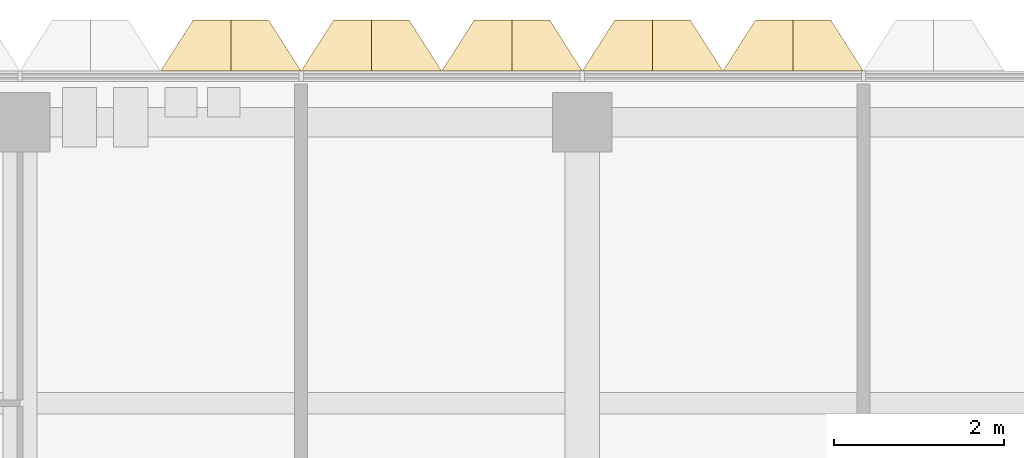
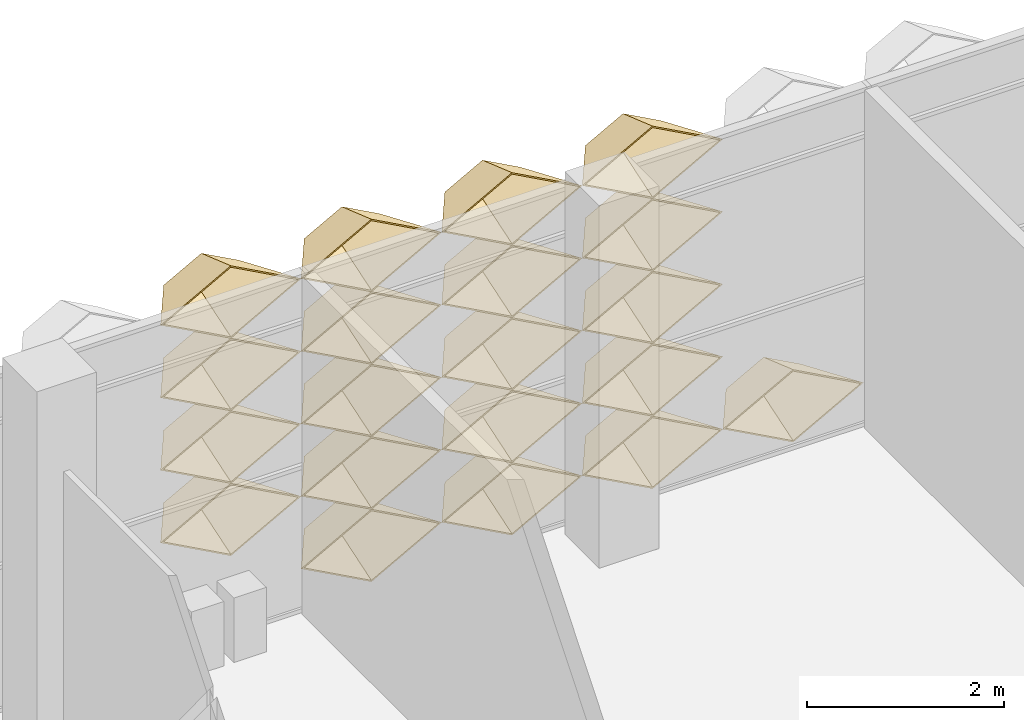
# One storey, part 25 of 28: 20 coverings.
"""IFC4 building model written with IfcOpenShell, lengths in metres."""

from ifc_helpers import new_model, entity, si_unit, direction, frame, origin, place, context, subcontext, project, spatial, material, layer, layer_set, type_object, element, save


model = new_model("IFC4")

# Units and contexts
model_context = context("Model", 3, precision=1e-05, world=origin(), true_north=direction((0.0, 1.0)))
body_context = subcontext(model_context, "Body", "Model", "MODEL_VIEW")
ifc_project = project(units=[si_unit("LENGTHUNIT", "METRE"), si_unit("AREAUNIT", "SQUARE_METRE"), si_unit("VOLUMEUNIT", "CUBIC_METRE"), si_unit("PLANEANGLEUNIT", "RADIAN"), si_unit("MASSUNIT", "GRAM", prefix="KILO")], contexts=[model_context])

# Site, building, storey
site_placement = place(None, origin())
site = spatial("IfcSite", under=ifc_project, at=site_placement, CompositionType="ELEMENT")
building_placement = place(site_placement, origin())
building = spatial("IfcBuilding", under=site, at=building_placement, Name="Lantern Court Research Institute", CompositionType="ELEMENT")
storey_placement = place(building_placement, frame((0.0, 0.0, 36.89990234375)))
storey = spatial("IfcBuildingStorey", under=building, at=storey_placement, Name="L08", CompositionType="ELEMENT", Elevation=36.89990234375)

# Coverings
ifc_material = material(Name="Anodised aluminium", Category="aluminium")
ifc_layer = layer(ifc_material, 0.01611328125)
ifc_layer_set = layer_set([ifc_layer], Name="Anodised aluminium")
covering_type = type_object("IfcCoveringType", Name="Fin cassette 1650 x 900 x 600 aluminium", PredefinedType="CLADDING", material=ifc_layer_set)
covering_1_placement = place(storey_placement, frame((63.52490234375, 23.699951171875, 0.4501953125), z_axis=(0.0, 1.0, 0.0), x_axis=(-1.0, 0.0, 0.0)))
cartesian_point_1 = entity("IfcCartesianPoint", [0.824951171875, 0.0])
cartesian_point_2 = entity("IfcCartesianPoint", [0.79150390625, 0.0])
cartesian_point_3 = entity("IfcCartesianPoint", [0.44189453125, 0.0])
cartesian_point_4 = entity("IfcCartesianPoint", [0.43359375, 0.0])
element("IfcCovering", 1, at=covering_1_placement, inside=storey, type_object=covering_type, Name="Fin cassette V5N-L08 1.39", PredefinedType="CLADDING", context=body_context, shape_type="SweptSolid", body=[
    entity("IfcExtrudedAreaSolidTapered", entity("IfcArbitraryProfileDefWithVoids", "AREA", None, entity("IfcPolyline", [cartesian_point_1, entity("IfcCartesianPoint", [0.0, 0.449951171875]), entity("IfcCartesianPoint", [-0.824951171875, 0.0]), entity("IfcCartesianPoint", [0.0, -0.449951171875]), cartesian_point_1]), [entity("IfcPolyline", [cartesian_point_2, entity("IfcCartesianPoint", [0.0, 0.431884765625]), entity("IfcCartesianPoint", [-0.79150390625, 0.0]), entity("IfcCartesianPoint", [0.0, -0.431884765625]), cartesian_point_2])]), entity("IfcAxis2Placement3D", entity("IfcCartesianPoint", [0.0, 0.0, 0.0])), entity("IfcDirection", [0.0, 0.0, 1.0]), 0.60009765625, entity("IfcArbitraryProfileDefWithVoids", "AREA", None, entity("IfcPolyline", [cartesian_point_3, entity("IfcCartesianPoint", [0.0, 0.240966796875]), entity("IfcCartesianPoint", [-0.44189453125, 0.0]), entity("IfcCartesianPoint", [0.0, -0.240966796875]), cartesian_point_3]), [entity("IfcPolyline", [cartesian_point_4, entity("IfcCartesianPoint", [0.0, 0.236572265625]), entity("IfcCartesianPoint", [-0.43359375, 0.0]), entity("IfcCartesianPoint", [0.0, -0.236572265625]), cartesian_point_4])])),
])
covering_2_placement = place(storey_placement, frame((65.175048828125, 23.699951171875, 0.4501953125), z_axis=(0.0, 1.0, 0.0), x_axis=(-1.0, 0.0, 0.0)))
cartesian_point_5 = entity("IfcCartesianPoint", [0.824951171875, 0.0])
cartesian_point_6 = entity("IfcCartesianPoint", [0.79150390625, 0.0])
cartesian_point_7 = entity("IfcCartesianPoint", [0.44189453125, 0.0])
cartesian_point_8 = entity("IfcCartesianPoint", [0.43359375, 0.0])
element("IfcCovering", 2, at=covering_2_placement, inside=storey, type_object=covering_type, Name="Fin cassette V5N-L08 1.40", PredefinedType="CLADDING", context=body_context, shape_type="SweptSolid", body=[
    entity("IfcExtrudedAreaSolidTapered", entity("IfcArbitraryProfileDefWithVoids", "AREA", None, entity("IfcPolyline", [cartesian_point_5, entity("IfcCartesianPoint", [0.0, 0.449951171875]), entity("IfcCartesianPoint", [-0.824951171875, 0.0]), entity("IfcCartesianPoint", [0.0, -0.449951171875]), cartesian_point_5]), [entity("IfcPolyline", [cartesian_point_6, entity("IfcCartesianPoint", [0.0, 0.431884765625]), entity("IfcCartesianPoint", [-0.79150390625, 0.0]), entity("IfcCartesianPoint", [0.0, -0.431884765625]), cartesian_point_6])]), entity("IfcAxis2Placement3D", entity("IfcCartesianPoint", [0.0, 0.0, 0.0])), entity("IfcDirection", [0.0, 0.0, 1.0]), 0.60009765625, entity("IfcArbitraryProfileDefWithVoids", "AREA", None, entity("IfcPolyline", [cartesian_point_7, entity("IfcCartesianPoint", [0.0, 0.240966796875]), entity("IfcCartesianPoint", [-0.44189453125, 0.0]), entity("IfcCartesianPoint", [0.0, -0.240966796875]), cartesian_point_7]), [entity("IfcPolyline", [cartesian_point_8, entity("IfcCartesianPoint", [0.0, 0.236572265625]), entity("IfcCartesianPoint", [-0.43359375, 0.0]), entity("IfcCartesianPoint", [0.0, -0.236572265625]), cartesian_point_8])])),
])
covering_3_placement = place(storey_placement, frame((66.824951171875, 23.699951171875, 0.4501953125), z_axis=(0.0, 1.0, 0.0), x_axis=(-1.0, 0.0, 0.0)))
cartesian_point_9 = entity("IfcCartesianPoint", [0.824951171875, 0.0])
cartesian_point_10 = entity("IfcCartesianPoint", [0.79150390625, 0.0])
cartesian_point_11 = entity("IfcCartesianPoint", [0.44189453125, 0.0])
cartesian_point_12 = entity("IfcCartesianPoint", [0.43359375, 0.0])
element("IfcCovering", 3, at=covering_3_placement, inside=storey, type_object=covering_type, Name="Fin cassette V5N-L08 1.41", PredefinedType="CLADDING", context=body_context, shape_type="SweptSolid", body=[
    entity("IfcExtrudedAreaSolidTapered", entity("IfcArbitraryProfileDefWithVoids", "AREA", None, entity("IfcPolyline", [cartesian_point_9, entity("IfcCartesianPoint", [0.0, 0.449951171875]), entity("IfcCartesianPoint", [-0.824951171875, 0.0]), entity("IfcCartesianPoint", [0.0, -0.449951171875]), cartesian_point_9]), [entity("IfcPolyline", [cartesian_point_10, entity("IfcCartesianPoint", [0.0, 0.431884765625]), entity("IfcCartesianPoint", [-0.79150390625, 0.0]), entity("IfcCartesianPoint", [0.0, -0.431884765625]), cartesian_point_10])]), entity("IfcAxis2Placement3D", entity("IfcCartesianPoint", [0.0, 0.0, 0.0])), entity("IfcDirection", [0.0, 0.0, 1.0]), 0.60009765625, entity("IfcArbitraryProfileDefWithVoids", "AREA", None, entity("IfcPolyline", [cartesian_point_11, entity("IfcCartesianPoint", [0.0, 0.240966796875]), entity("IfcCartesianPoint", [-0.44189453125, 0.0]), entity("IfcCartesianPoint", [0.0, -0.240966796875]), cartesian_point_11]), [entity("IfcPolyline", [cartesian_point_12, entity("IfcCartesianPoint", [0.0, 0.236572265625]), entity("IfcCartesianPoint", [-0.43359375, 0.0]), entity("IfcCartesianPoint", [0.0, -0.236572265625]), cartesian_point_12])])),
])
covering_4_placement = place(storey_placement, frame((68.47509765625, 23.699951171875, 0.4501953125), z_axis=(0.0, 1.0, 0.0), x_axis=(-1.0, 0.0, 0.0)))
cartesian_point_13 = entity("IfcCartesianPoint", [0.824951171875, 0.0])
cartesian_point_14 = entity("IfcCartesianPoint", [0.79150390625, 0.0])
cartesian_point_15 = entity("IfcCartesianPoint", [0.44189453125, 0.0])
cartesian_point_16 = entity("IfcCartesianPoint", [0.43359375, 0.0])
element("IfcCovering", 4, at=covering_4_placement, inside=storey, type_object=covering_type, Name="Fin cassette V5N-L08 1.42", PredefinedType="CLADDING", context=body_context, shape_type="SweptSolid", body=[
    entity("IfcExtrudedAreaSolidTapered", entity("IfcArbitraryProfileDefWithVoids", "AREA", None, entity("IfcPolyline", [cartesian_point_13, entity("IfcCartesianPoint", [0.0, 0.449951171875]), entity("IfcCartesianPoint", [-0.824951171875, 0.0]), entity("IfcCartesianPoint", [0.0, -0.449951171875]), cartesian_point_13]), [entity("IfcPolyline", [cartesian_point_14, entity("IfcCartesianPoint", [0.0, 0.431884765625]), entity("IfcCartesianPoint", [-0.79150390625, 0.0]), entity("IfcCartesianPoint", [0.0, -0.431884765625]), cartesian_point_14])]), entity("IfcAxis2Placement3D", entity("IfcCartesianPoint", [0.0, 0.0, 0.0])), entity("IfcDirection", [0.0, 0.0, 1.0]), 0.60009765625, entity("IfcArbitraryProfileDefWithVoids", "AREA", None, entity("IfcPolyline", [cartesian_point_15, entity("IfcCartesianPoint", [0.0, 0.240966796875]), entity("IfcCartesianPoint", [-0.44189453125, 0.0]), entity("IfcCartesianPoint", [0.0, -0.240966796875]), cartesian_point_15]), [entity("IfcPolyline", [cartesian_point_16, entity("IfcCartesianPoint", [0.0, 0.236572265625]), entity("IfcCartesianPoint", [-0.43359375, 0.0]), entity("IfcCartesianPoint", [0.0, -0.236572265625]), cartesian_point_16])])),
])
covering_5_placement = place(storey_placement, frame((61.875, 23.699951171875, 1.35009765625), z_axis=(0.0, 1.0, 0.0), x_axis=(-1.0, 0.0, 0.0)))
cartesian_point_17 = entity("IfcCartesianPoint", [0.824951171875, 0.0])
cartesian_point_18 = entity("IfcCartesianPoint", [0.79150390625, 0.0])
cartesian_point_19 = entity("IfcCartesianPoint", [0.44189453125, 0.0])
cartesian_point_20 = entity("IfcCartesianPoint", [0.43359375, 0.0])
element("IfcCovering", 5, at=covering_5_placement, inside=storey, type_object=covering_type, Name="Fin cassette V5N-L08 2.38", PredefinedType="CLADDING", context=body_context, shape_type="SweptSolid", body=[
    entity("IfcExtrudedAreaSolidTapered", entity("IfcArbitraryProfileDefWithVoids", "AREA", None, entity("IfcPolyline", [cartesian_point_17, entity("IfcCartesianPoint", [0.0, 0.449951171875]), entity("IfcCartesianPoint", [-0.824951171875, 0.0]), entity("IfcCartesianPoint", [0.0, -0.449951171875]), cartesian_point_17]), [entity("IfcPolyline", [cartesian_point_18, entity("IfcCartesianPoint", [0.0, 0.431884765625]), entity("IfcCartesianPoint", [-0.79150390625, 0.0]), entity("IfcCartesianPoint", [0.0, -0.431884765625]), cartesian_point_18])]), entity("IfcAxis2Placement3D", entity("IfcCartesianPoint", [0.0, 0.0, 0.0])), entity("IfcDirection", [0.0, 0.0, 1.0]), 0.60009765625, entity("IfcArbitraryProfileDefWithVoids", "AREA", None, entity("IfcPolyline", [cartesian_point_19, entity("IfcCartesianPoint", [0.0, 0.240966796875]), entity("IfcCartesianPoint", [-0.44189453125, 0.0]), entity("IfcCartesianPoint", [0.0, -0.240966796875]), cartesian_point_19]), [entity("IfcPolyline", [cartesian_point_20, entity("IfcCartesianPoint", [0.0, 0.236572265625]), entity("IfcCartesianPoint", [-0.43359375, 0.0]), entity("IfcCartesianPoint", [0.0, -0.236572265625]), cartesian_point_20])])),
])
covering_6_placement = place(storey_placement, frame((63.52490234375, 23.699951171875, 1.35009765625), z_axis=(0.0, 1.0, 0.0), x_axis=(-1.0, 0.0, 0.0)))
cartesian_point_21 = entity("IfcCartesianPoint", [0.824951171875, 0.0])
cartesian_point_22 = entity("IfcCartesianPoint", [0.79150390625, 0.0])
cartesian_point_23 = entity("IfcCartesianPoint", [0.44189453125, 0.0])
cartesian_point_24 = entity("IfcCartesianPoint", [0.43359375, 0.0])
element("IfcCovering", 6, at=covering_6_placement, inside=storey, type_object=covering_type, Name="Fin cassette V5N-L08 2.39", PredefinedType="CLADDING", context=body_context, shape_type="SweptSolid", body=[
    entity("IfcExtrudedAreaSolidTapered", entity("IfcArbitraryProfileDefWithVoids", "AREA", None, entity("IfcPolyline", [cartesian_point_21, entity("IfcCartesianPoint", [0.0, 0.449951171875]), entity("IfcCartesianPoint", [-0.824951171875, 0.0]), entity("IfcCartesianPoint", [0.0, -0.449951171875]), cartesian_point_21]), [entity("IfcPolyline", [cartesian_point_22, entity("IfcCartesianPoint", [0.0, 0.431884765625]), entity("IfcCartesianPoint", [-0.79150390625, 0.0]), entity("IfcCartesianPoint", [0.0, -0.431884765625]), cartesian_point_22])]), entity("IfcAxis2Placement3D", entity("IfcCartesianPoint", [0.0, 0.0, 0.0])), entity("IfcDirection", [0.0, 0.0, 1.0]), 0.60009765625, entity("IfcArbitraryProfileDefWithVoids", "AREA", None, entity("IfcPolyline", [cartesian_point_23, entity("IfcCartesianPoint", [0.0, 0.240966796875]), entity("IfcCartesianPoint", [-0.44189453125, 0.0]), entity("IfcCartesianPoint", [0.0, -0.240966796875]), cartesian_point_23]), [entity("IfcPolyline", [cartesian_point_24, entity("IfcCartesianPoint", [0.0, 0.236572265625]), entity("IfcCartesianPoint", [-0.43359375, 0.0]), entity("IfcCartesianPoint", [0.0, -0.236572265625]), cartesian_point_24])])),
])
covering_7_placement = place(storey_placement, frame((65.175048828125, 23.699951171875, 1.35009765625), z_axis=(0.0, 1.0, 0.0), x_axis=(-1.0, 0.0, 0.0)))
cartesian_point_25 = entity("IfcCartesianPoint", [0.824951171875, 0.0])
cartesian_point_26 = entity("IfcCartesianPoint", [0.79150390625, 0.0])
cartesian_point_27 = entity("IfcCartesianPoint", [0.44189453125, 0.0])
cartesian_point_28 = entity("IfcCartesianPoint", [0.43359375, 0.0])
element("IfcCovering", 7, at=covering_7_placement, inside=storey, type_object=covering_type, Name="Fin cassette V5N-L08 2.40", PredefinedType="CLADDING", context=body_context, shape_type="SweptSolid", body=[
    entity("IfcExtrudedAreaSolidTapered", entity("IfcArbitraryProfileDefWithVoids", "AREA", None, entity("IfcPolyline", [cartesian_point_25, entity("IfcCartesianPoint", [0.0, 0.449951171875]), entity("IfcCartesianPoint", [-0.824951171875, 0.0]), entity("IfcCartesianPoint", [0.0, -0.449951171875]), cartesian_point_25]), [entity("IfcPolyline", [cartesian_point_26, entity("IfcCartesianPoint", [0.0, 0.431884765625]), entity("IfcCartesianPoint", [-0.79150390625, 0.0]), entity("IfcCartesianPoint", [0.0, -0.431884765625]), cartesian_point_26])]), entity("IfcAxis2Placement3D", entity("IfcCartesianPoint", [0.0, 0.0, 0.0])), entity("IfcDirection", [0.0, 0.0, 1.0]), 0.60009765625, entity("IfcArbitraryProfileDefWithVoids", "AREA", None, entity("IfcPolyline", [cartesian_point_27, entity("IfcCartesianPoint", [0.0, 0.240966796875]), entity("IfcCartesianPoint", [-0.44189453125, 0.0]), entity("IfcCartesianPoint", [0.0, -0.240966796875]), cartesian_point_27]), [entity("IfcPolyline", [cartesian_point_28, entity("IfcCartesianPoint", [0.0, 0.236572265625]), entity("IfcCartesianPoint", [-0.43359375, 0.0]), entity("IfcCartesianPoint", [0.0, -0.236572265625]), cartesian_point_28])])),
])
covering_8_placement = place(storey_placement, frame((66.824951171875, 23.699951171875, 1.35009765625), z_axis=(0.0, 1.0, 0.0), x_axis=(-1.0, 0.0, 0.0)))
cartesian_point_29 = entity("IfcCartesianPoint", [0.824951171875, 0.0])
cartesian_point_30 = entity("IfcCartesianPoint", [0.79150390625, 0.0])
cartesian_point_31 = entity("IfcCartesianPoint", [0.44189453125, 0.0])
cartesian_point_32 = entity("IfcCartesianPoint", [0.43359375, 0.0])
element("IfcCovering", 8, at=covering_8_placement, inside=storey, type_object=covering_type, Name="Fin cassette V5N-L08 2.41", PredefinedType="CLADDING", context=body_context, shape_type="SweptSolid", body=[
    entity("IfcExtrudedAreaSolidTapered", entity("IfcArbitraryProfileDefWithVoids", "AREA", None, entity("IfcPolyline", [cartesian_point_29, entity("IfcCartesianPoint", [0.0, 0.449951171875]), entity("IfcCartesianPoint", [-0.824951171875, 0.0]), entity("IfcCartesianPoint", [0.0, -0.449951171875]), cartesian_point_29]), [entity("IfcPolyline", [cartesian_point_30, entity("IfcCartesianPoint", [0.0, 0.431884765625]), entity("IfcCartesianPoint", [-0.79150390625, 0.0]), entity("IfcCartesianPoint", [0.0, -0.431884765625]), cartesian_point_30])]), entity("IfcAxis2Placement3D", entity("IfcCartesianPoint", [0.0, 0.0, 0.0])), entity("IfcDirection", [0.0, 0.0, 1.0]), 0.60009765625, entity("IfcArbitraryProfileDefWithVoids", "AREA", None, entity("IfcPolyline", [cartesian_point_31, entity("IfcCartesianPoint", [0.0, 0.240966796875]), entity("IfcCartesianPoint", [-0.44189453125, 0.0]), entity("IfcCartesianPoint", [0.0, -0.240966796875]), cartesian_point_31]), [entity("IfcPolyline", [cartesian_point_32, entity("IfcCartesianPoint", [0.0, 0.236572265625]), entity("IfcCartesianPoint", [-0.43359375, 0.0]), entity("IfcCartesianPoint", [0.0, -0.236572265625]), cartesian_point_32])])),
])
covering_9_placement = place(storey_placement, frame((61.875, 23.699951171875, 2.25), z_axis=(0.0, 1.0, 0.0), x_axis=(-1.0, 0.0, 0.0)))
cartesian_point_33 = entity("IfcCartesianPoint", [0.824951171875, 0.0])
cartesian_point_34 = entity("IfcCartesianPoint", [0.79150390625, 0.0])
cartesian_point_35 = entity("IfcCartesianPoint", [0.44189453125, 0.0])
cartesian_point_36 = entity("IfcCartesianPoint", [0.43359375, 0.0])
element("IfcCovering", 9, at=covering_9_placement, inside=storey, type_object=covering_type, Name="Fin cassette V5N-L08 3.38", PredefinedType="CLADDING", context=body_context, shape_type="SweptSolid", body=[
    entity("IfcExtrudedAreaSolidTapered", entity("IfcArbitraryProfileDefWithVoids", "AREA", None, entity("IfcPolyline", [cartesian_point_33, entity("IfcCartesianPoint", [0.0, 0.449951171875]), entity("IfcCartesianPoint", [-0.824951171875, 0.0]), entity("IfcCartesianPoint", [0.0, -0.449951171875]), cartesian_point_33]), [entity("IfcPolyline", [cartesian_point_34, entity("IfcCartesianPoint", [0.0, 0.431884765625]), entity("IfcCartesianPoint", [-0.79150390625, 0.0]), entity("IfcCartesianPoint", [0.0, -0.431884765625]), cartesian_point_34])]), entity("IfcAxis2Placement3D", entity("IfcCartesianPoint", [0.0, 0.0, 0.0])), entity("IfcDirection", [0.0, 0.0, 1.0]), 0.60009765625, entity("IfcArbitraryProfileDefWithVoids", "AREA", None, entity("IfcPolyline", [cartesian_point_35, entity("IfcCartesianPoint", [0.0, 0.240966796875]), entity("IfcCartesianPoint", [-0.44189453125, 0.0]), entity("IfcCartesianPoint", [0.0, -0.240966796875]), cartesian_point_35]), [entity("IfcPolyline", [cartesian_point_36, entity("IfcCartesianPoint", [0.0, 0.236572265625]), entity("IfcCartesianPoint", [-0.43359375, 0.0]), entity("IfcCartesianPoint", [0.0, -0.236572265625]), cartesian_point_36])])),
])
covering_10_placement = place(storey_placement, frame((63.52490234375, 23.699951171875, 2.25), z_axis=(0.0, 1.0, 0.0), x_axis=(-1.0, 0.0, 0.0)))
cartesian_point_37 = entity("IfcCartesianPoint", [0.824951171875, 0.0])
cartesian_point_38 = entity("IfcCartesianPoint", [0.79150390625, 0.0])
cartesian_point_39 = entity("IfcCartesianPoint", [0.44189453125, 0.0])
cartesian_point_40 = entity("IfcCartesianPoint", [0.43359375, 0.0])
element("IfcCovering", 10, at=covering_10_placement, inside=storey, type_object=covering_type, Name="Fin cassette V5N-L08 3.39", PredefinedType="CLADDING", context=body_context, shape_type="SweptSolid", body=[
    entity("IfcExtrudedAreaSolidTapered", entity("IfcArbitraryProfileDefWithVoids", "AREA", None, entity("IfcPolyline", [cartesian_point_37, entity("IfcCartesianPoint", [0.0, 0.449951171875]), entity("IfcCartesianPoint", [-0.824951171875, 0.0]), entity("IfcCartesianPoint", [0.0, -0.449951171875]), cartesian_point_37]), [entity("IfcPolyline", [cartesian_point_38, entity("IfcCartesianPoint", [0.0, 0.431884765625]), entity("IfcCartesianPoint", [-0.79150390625, 0.0]), entity("IfcCartesianPoint", [0.0, -0.431884765625]), cartesian_point_38])]), entity("IfcAxis2Placement3D", entity("IfcCartesianPoint", [0.0, 0.0, 0.0])), entity("IfcDirection", [0.0, 0.0, 1.0]), 0.60009765625, entity("IfcArbitraryProfileDefWithVoids", "AREA", None, entity("IfcPolyline", [cartesian_point_39, entity("IfcCartesianPoint", [0.0, 0.240966796875]), entity("IfcCartesianPoint", [-0.44189453125, 0.0]), entity("IfcCartesianPoint", [0.0, -0.240966796875]), cartesian_point_39]), [entity("IfcPolyline", [cartesian_point_40, entity("IfcCartesianPoint", [0.0, 0.236572265625]), entity("IfcCartesianPoint", [-0.43359375, 0.0]), entity("IfcCartesianPoint", [0.0, -0.236572265625]), cartesian_point_40])])),
])
covering_11_placement = place(storey_placement, frame((65.175048828125, 23.699951171875, 2.25), z_axis=(0.0, 1.0, 0.0), x_axis=(-1.0, 0.0, 0.0)))
cartesian_point_41 = entity("IfcCartesianPoint", [0.824951171875, 0.0])
cartesian_point_42 = entity("IfcCartesianPoint", [0.79150390625, 0.0])
cartesian_point_43 = entity("IfcCartesianPoint", [0.44189453125, 0.0])
cartesian_point_44 = entity("IfcCartesianPoint", [0.43359375, 0.0])
element("IfcCovering", 11, at=covering_11_placement, inside=storey, type_object=covering_type, Name="Fin cassette V5N-L08 3.40", PredefinedType="CLADDING", context=body_context, shape_type="SweptSolid", body=[
    entity("IfcExtrudedAreaSolidTapered", entity("IfcArbitraryProfileDefWithVoids", "AREA", None, entity("IfcPolyline", [cartesian_point_41, entity("IfcCartesianPoint", [0.0, 0.449951171875]), entity("IfcCartesianPoint", [-0.824951171875, 0.0]), entity("IfcCartesianPoint", [0.0, -0.449951171875]), cartesian_point_41]), [entity("IfcPolyline", [cartesian_point_42, entity("IfcCartesianPoint", [0.0, 0.431884765625]), entity("IfcCartesianPoint", [-0.79150390625, 0.0]), entity("IfcCartesianPoint", [0.0, -0.431884765625]), cartesian_point_42])]), entity("IfcAxis2Placement3D", entity("IfcCartesianPoint", [0.0, 0.0, 0.0])), entity("IfcDirection", [0.0, 0.0, 1.0]), 0.60009765625, entity("IfcArbitraryProfileDefWithVoids", "AREA", None, entity("IfcPolyline", [cartesian_point_43, entity("IfcCartesianPoint", [0.0, 0.240966796875]), entity("IfcCartesianPoint", [-0.44189453125, 0.0]), entity("IfcCartesianPoint", [0.0, -0.240966796875]), cartesian_point_43]), [entity("IfcPolyline", [cartesian_point_44, entity("IfcCartesianPoint", [0.0, 0.236572265625]), entity("IfcCartesianPoint", [-0.43359375, 0.0]), entity("IfcCartesianPoint", [0.0, -0.236572265625]), cartesian_point_44])])),
])
covering_12_placement = place(storey_placement, frame((66.824951171875, 23.699951171875, 2.25), z_axis=(0.0, 1.0, 0.0), x_axis=(-1.0, 0.0, 0.0)))
cartesian_point_45 = entity("IfcCartesianPoint", [0.824951171875, 0.0])
cartesian_point_46 = entity("IfcCartesianPoint", [0.79150390625, 0.0])
cartesian_point_47 = entity("IfcCartesianPoint", [0.44189453125, 0.0])
cartesian_point_48 = entity("IfcCartesianPoint", [0.43359375, 0.0])
element("IfcCovering", 12, at=covering_12_placement, inside=storey, type_object=covering_type, Name="Fin cassette V5N-L08 3.41", PredefinedType="CLADDING", context=body_context, shape_type="SweptSolid", body=[
    entity("IfcExtrudedAreaSolidTapered", entity("IfcArbitraryProfileDefWithVoids", "AREA", None, entity("IfcPolyline", [cartesian_point_45, entity("IfcCartesianPoint", [0.0, 0.449951171875]), entity("IfcCartesianPoint", [-0.824951171875, 0.0]), entity("IfcCartesianPoint", [0.0, -0.449951171875]), cartesian_point_45]), [entity("IfcPolyline", [cartesian_point_46, entity("IfcCartesianPoint", [0.0, 0.431884765625]), entity("IfcCartesianPoint", [-0.79150390625, 0.0]), entity("IfcCartesianPoint", [0.0, -0.431884765625]), cartesian_point_46])]), entity("IfcAxis2Placement3D", entity("IfcCartesianPoint", [0.0, 0.0, 0.0])), entity("IfcDirection", [0.0, 0.0, 1.0]), 0.60009765625, entity("IfcArbitraryProfileDefWithVoids", "AREA", None, entity("IfcPolyline", [cartesian_point_47, entity("IfcCartesianPoint", [0.0, 0.240966796875]), entity("IfcCartesianPoint", [-0.44189453125, 0.0]), entity("IfcCartesianPoint", [0.0, -0.240966796875]), cartesian_point_47]), [entity("IfcPolyline", [cartesian_point_48, entity("IfcCartesianPoint", [0.0, 0.236572265625]), entity("IfcCartesianPoint", [-0.43359375, 0.0]), entity("IfcCartesianPoint", [0.0, -0.236572265625]), cartesian_point_48])])),
])
covering_13_placement = place(storey_placement, frame((61.875, 23.699951171875, 3.150146484375), z_axis=(0.0, 1.0, 0.0), x_axis=(-1.0, 0.0, 0.0)))
cartesian_point_49 = entity("IfcCartesianPoint", [0.824951171875, 0.0])
cartesian_point_50 = entity("IfcCartesianPoint", [0.79150390625, 0.0])
cartesian_point_51 = entity("IfcCartesianPoint", [0.44189453125, 0.0])
cartesian_point_52 = entity("IfcCartesianPoint", [0.43359375, 0.0])
element("IfcCovering", 13, at=covering_13_placement, inside=storey, type_object=covering_type, Name="Fin cassette V5N-L08 4.38", PredefinedType="CLADDING", context=body_context, shape_type="SweptSolid", body=[
    entity("IfcExtrudedAreaSolidTapered", entity("IfcArbitraryProfileDefWithVoids", "AREA", None, entity("IfcPolyline", [cartesian_point_49, entity("IfcCartesianPoint", [0.0, 0.449951171875]), entity("IfcCartesianPoint", [-0.824951171875, 0.0]), entity("IfcCartesianPoint", [0.0, -0.449951171875]), cartesian_point_49]), [entity("IfcPolyline", [cartesian_point_50, entity("IfcCartesianPoint", [0.0, 0.431884765625]), entity("IfcCartesianPoint", [-0.79150390625, 0.0]), entity("IfcCartesianPoint", [0.0, -0.431884765625]), cartesian_point_50])]), entity("IfcAxis2Placement3D", entity("IfcCartesianPoint", [0.0, 0.0, 0.0])), entity("IfcDirection", [0.0, 0.0, 1.0]), 0.60009765625, entity("IfcArbitraryProfileDefWithVoids", "AREA", None, entity("IfcPolyline", [cartesian_point_51, entity("IfcCartesianPoint", [0.0, 0.240966796875]), entity("IfcCartesianPoint", [-0.44189453125, 0.0]), entity("IfcCartesianPoint", [0.0, -0.240966796875]), cartesian_point_51]), [entity("IfcPolyline", [cartesian_point_52, entity("IfcCartesianPoint", [0.0, 0.236572265625]), entity("IfcCartesianPoint", [-0.43359375, 0.0]), entity("IfcCartesianPoint", [0.0, -0.236572265625]), cartesian_point_52])])),
])
covering_14_placement = place(storey_placement, frame((63.52490234375, 23.699951171875, 3.150146484375), z_axis=(0.0, 1.0, 0.0), x_axis=(-1.0, 0.0, 0.0)))
cartesian_point_53 = entity("IfcCartesianPoint", [0.824951171875, 0.0])
cartesian_point_54 = entity("IfcCartesianPoint", [0.79150390625, 0.0])
cartesian_point_55 = entity("IfcCartesianPoint", [0.44189453125, 0.0])
cartesian_point_56 = entity("IfcCartesianPoint", [0.43359375, 0.0])
element("IfcCovering", 14, at=covering_14_placement, inside=storey, type_object=covering_type, Name="Fin cassette V5N-L08 4.39", PredefinedType="CLADDING", context=body_context, shape_type="SweptSolid", body=[
    entity("IfcExtrudedAreaSolidTapered", entity("IfcArbitraryProfileDefWithVoids", "AREA", None, entity("IfcPolyline", [cartesian_point_53, entity("IfcCartesianPoint", [0.0, 0.449951171875]), entity("IfcCartesianPoint", [-0.824951171875, 0.0]), entity("IfcCartesianPoint", [0.0, -0.449951171875]), cartesian_point_53]), [entity("IfcPolyline", [cartesian_point_54, entity("IfcCartesianPoint", [0.0, 0.431884765625]), entity("IfcCartesianPoint", [-0.79150390625, 0.0]), entity("IfcCartesianPoint", [0.0, -0.431884765625]), cartesian_point_54])]), entity("IfcAxis2Placement3D", entity("IfcCartesianPoint", [0.0, 0.0, 0.0])), entity("IfcDirection", [0.0, 0.0, 1.0]), 0.60009765625, entity("IfcArbitraryProfileDefWithVoids", "AREA", None, entity("IfcPolyline", [cartesian_point_55, entity("IfcCartesianPoint", [0.0, 0.240966796875]), entity("IfcCartesianPoint", [-0.44189453125, 0.0]), entity("IfcCartesianPoint", [0.0, -0.240966796875]), cartesian_point_55]), [entity("IfcPolyline", [cartesian_point_56, entity("IfcCartesianPoint", [0.0, 0.236572265625]), entity("IfcCartesianPoint", [-0.43359375, 0.0]), entity("IfcCartesianPoint", [0.0, -0.236572265625]), cartesian_point_56])])),
])
covering_15_placement = place(storey_placement, frame((65.175048828125, 23.699951171875, 3.150146484375), z_axis=(0.0, 1.0, 0.0), x_axis=(-1.0, 0.0, 0.0)))
cartesian_point_57 = entity("IfcCartesianPoint", [0.824951171875, 0.0])
cartesian_point_58 = entity("IfcCartesianPoint", [0.79150390625, 0.0])
cartesian_point_59 = entity("IfcCartesianPoint", [0.44189453125, 0.0])
cartesian_point_60 = entity("IfcCartesianPoint", [0.43359375, 0.0])
element("IfcCovering", 15, at=covering_15_placement, inside=storey, type_object=covering_type, Name="Fin cassette V5N-L08 4.40", PredefinedType="CLADDING", context=body_context, shape_type="SweptSolid", body=[
    entity("IfcExtrudedAreaSolidTapered", entity("IfcArbitraryProfileDefWithVoids", "AREA", None, entity("IfcPolyline", [cartesian_point_57, entity("IfcCartesianPoint", [0.0, 0.449951171875]), entity("IfcCartesianPoint", [-0.824951171875, 0.0]), entity("IfcCartesianPoint", [0.0, -0.449951171875]), cartesian_point_57]), [entity("IfcPolyline", [cartesian_point_58, entity("IfcCartesianPoint", [0.0, 0.431884765625]), entity("IfcCartesianPoint", [-0.79150390625, 0.0]), entity("IfcCartesianPoint", [0.0, -0.431884765625]), cartesian_point_58])]), entity("IfcAxis2Placement3D", entity("IfcCartesianPoint", [0.0, 0.0, 0.0])), entity("IfcDirection", [0.0, 0.0, 1.0]), 0.60009765625, entity("IfcArbitraryProfileDefWithVoids", "AREA", None, entity("IfcPolyline", [cartesian_point_59, entity("IfcCartesianPoint", [0.0, 0.240966796875]), entity("IfcCartesianPoint", [-0.44189453125, 0.0]), entity("IfcCartesianPoint", [0.0, -0.240966796875]), cartesian_point_59]), [entity("IfcPolyline", [cartesian_point_60, entity("IfcCartesianPoint", [0.0, 0.236572265625]), entity("IfcCartesianPoint", [-0.43359375, 0.0]), entity("IfcCartesianPoint", [0.0, -0.236572265625]), cartesian_point_60])])),
])
covering_16_placement = place(storey_placement, frame((66.824951171875, 23.699951171875, 3.150146484375), z_axis=(0.0, 1.0, 0.0), x_axis=(-1.0, 0.0, 0.0)))
cartesian_point_61 = entity("IfcCartesianPoint", [0.824951171875, 0.0])
cartesian_point_62 = entity("IfcCartesianPoint", [0.79150390625, 0.0])
cartesian_point_63 = entity("IfcCartesianPoint", [0.44189453125, 0.0])
cartesian_point_64 = entity("IfcCartesianPoint", [0.43359375, 0.0])
element("IfcCovering", 16, at=covering_16_placement, inside=storey, type_object=covering_type, Name="Fin cassette V5N-L08 4.41", PredefinedType="CLADDING", context=body_context, shape_type="SweptSolid", body=[
    entity("IfcExtrudedAreaSolidTapered", entity("IfcArbitraryProfileDefWithVoids", "AREA", None, entity("IfcPolyline", [cartesian_point_61, entity("IfcCartesianPoint", [0.0, 0.449951171875]), entity("IfcCartesianPoint", [-0.824951171875, 0.0]), entity("IfcCartesianPoint", [0.0, -0.449951171875]), cartesian_point_61]), [entity("IfcPolyline", [cartesian_point_62, entity("IfcCartesianPoint", [0.0, 0.431884765625]), entity("IfcCartesianPoint", [-0.79150390625, 0.0]), entity("IfcCartesianPoint", [0.0, -0.431884765625]), cartesian_point_62])]), entity("IfcAxis2Placement3D", entity("IfcCartesianPoint", [0.0, 0.0, 0.0])), entity("IfcDirection", [0.0, 0.0, 1.0]), 0.60009765625, entity("IfcArbitraryProfileDefWithVoids", "AREA", None, entity("IfcPolyline", [cartesian_point_63, entity("IfcCartesianPoint", [0.0, 0.240966796875]), entity("IfcCartesianPoint", [-0.44189453125, 0.0]), entity("IfcCartesianPoint", [0.0, -0.240966796875]), cartesian_point_63]), [entity("IfcPolyline", [cartesian_point_64, entity("IfcCartesianPoint", [0.0, 0.236572265625]), entity("IfcCartesianPoint", [-0.43359375, 0.0]), entity("IfcCartesianPoint", [0.0, -0.236572265625]), cartesian_point_64])])),
])
covering_17_placement = place(storey_placement, frame((61.875, 23.699951171875, 4.050048828125), z_axis=(0.0, 1.0, 0.0), x_axis=(-1.0, 0.0, 0.0)))
cartesian_point_65 = entity("IfcCartesianPoint", [0.824951171875, 0.0])
cartesian_point_66 = entity("IfcCartesianPoint", [0.79150390625, 0.0])
cartesian_point_67 = entity("IfcCartesianPoint", [0.44189453125, 0.0])
cartesian_point_68 = entity("IfcCartesianPoint", [0.43359375, 0.0])
element("IfcCovering", 17, at=covering_17_placement, inside=storey, type_object=covering_type, Name="Fin cassette V5N-L08 5.38", PredefinedType="CLADDING", context=body_context, shape_type="SweptSolid", body=[
    entity("IfcExtrudedAreaSolidTapered", entity("IfcArbitraryProfileDefWithVoids", "AREA", None, entity("IfcPolyline", [cartesian_point_65, entity("IfcCartesianPoint", [0.0, 0.449951171875]), entity("IfcCartesianPoint", [-0.824951171875, 0.0]), entity("IfcCartesianPoint", [0.0, -0.449951171875]), cartesian_point_65]), [entity("IfcPolyline", [cartesian_point_66, entity("IfcCartesianPoint", [0.0, 0.431884765625]), entity("IfcCartesianPoint", [-0.79150390625, 0.0]), entity("IfcCartesianPoint", [0.0, -0.431884765625]), cartesian_point_66])]), entity("IfcAxis2Placement3D", entity("IfcCartesianPoint", [0.0, 0.0, 0.0])), entity("IfcDirection", [0.0, 0.0, 1.0]), 0.60009765625, entity("IfcArbitraryProfileDefWithVoids", "AREA", None, entity("IfcPolyline", [cartesian_point_67, entity("IfcCartesianPoint", [0.0, 0.240966796875]), entity("IfcCartesianPoint", [-0.44189453125, 0.0]), entity("IfcCartesianPoint", [0.0, -0.240966796875]), cartesian_point_67]), [entity("IfcPolyline", [cartesian_point_68, entity("IfcCartesianPoint", [0.0, 0.236572265625]), entity("IfcCartesianPoint", [-0.43359375, 0.0]), entity("IfcCartesianPoint", [0.0, -0.236572265625]), cartesian_point_68])])),
])
covering_18_placement = place(storey_placement, frame((63.52490234375, 23.699951171875, 4.050048828125), z_axis=(0.0, 1.0, 0.0), x_axis=(-1.0, 0.0, 0.0)))
cartesian_point_69 = entity("IfcCartesianPoint", [0.824951171875, 0.0])
cartesian_point_70 = entity("IfcCartesianPoint", [0.79150390625, 0.0])
cartesian_point_71 = entity("IfcCartesianPoint", [0.44189453125, 0.0])
cartesian_point_72 = entity("IfcCartesianPoint", [0.43359375, 0.0])
element("IfcCovering", 18, at=covering_18_placement, inside=storey, type_object=covering_type, Name="Fin cassette V5N-L08 5.39", PredefinedType="CLADDING", context=body_context, shape_type="SweptSolid", body=[
    entity("IfcExtrudedAreaSolidTapered", entity("IfcArbitraryProfileDefWithVoids", "AREA", None, entity("IfcPolyline", [cartesian_point_69, entity("IfcCartesianPoint", [0.0, 0.449951171875]), entity("IfcCartesianPoint", [-0.824951171875, 0.0]), entity("IfcCartesianPoint", [0.0, -0.449951171875]), cartesian_point_69]), [entity("IfcPolyline", [cartesian_point_70, entity("IfcCartesianPoint", [0.0, 0.431884765625]), entity("IfcCartesianPoint", [-0.79150390625, 0.0]), entity("IfcCartesianPoint", [0.0, -0.431884765625]), cartesian_point_70])]), entity("IfcAxis2Placement3D", entity("IfcCartesianPoint", [0.0, 0.0, 0.0])), entity("IfcDirection", [0.0, 0.0, 1.0]), 0.60009765625, entity("IfcArbitraryProfileDefWithVoids", "AREA", None, entity("IfcPolyline", [cartesian_point_71, entity("IfcCartesianPoint", [0.0, 0.240966796875]), entity("IfcCartesianPoint", [-0.44189453125, 0.0]), entity("IfcCartesianPoint", [0.0, -0.240966796875]), cartesian_point_71]), [entity("IfcPolyline", [cartesian_point_72, entity("IfcCartesianPoint", [0.0, 0.236572265625]), entity("IfcCartesianPoint", [-0.43359375, 0.0]), entity("IfcCartesianPoint", [0.0, -0.236572265625]), cartesian_point_72])])),
])
covering_19_placement = place(storey_placement, frame((65.175048828125, 23.699951171875, 4.050048828125), z_axis=(0.0, 1.0, 0.0), x_axis=(-1.0, 0.0, 0.0)))
cartesian_point_73 = entity("IfcCartesianPoint", [0.824951171875, 0.0])
cartesian_point_74 = entity("IfcCartesianPoint", [0.79150390625, 0.0])
cartesian_point_75 = entity("IfcCartesianPoint", [0.44189453125, 0.0])
cartesian_point_76 = entity("IfcCartesianPoint", [0.43359375, 0.0])
element("IfcCovering", 19, at=covering_19_placement, inside=storey, type_object=covering_type, Name="Fin cassette V5N-L08 5.40", PredefinedType="CLADDING", context=body_context, shape_type="SweptSolid", body=[
    entity("IfcExtrudedAreaSolidTapered", entity("IfcArbitraryProfileDefWithVoids", "AREA", None, entity("IfcPolyline", [cartesian_point_73, entity("IfcCartesianPoint", [0.0, 0.449951171875]), entity("IfcCartesianPoint", [-0.824951171875, 0.0]), entity("IfcCartesianPoint", [0.0, -0.449951171875]), cartesian_point_73]), [entity("IfcPolyline", [cartesian_point_74, entity("IfcCartesianPoint", [0.0, 0.431884765625]), entity("IfcCartesianPoint", [-0.79150390625, 0.0]), entity("IfcCartesianPoint", [0.0, -0.431884765625]), cartesian_point_74])]), entity("IfcAxis2Placement3D", entity("IfcCartesianPoint", [0.0, 0.0, 0.0])), entity("IfcDirection", [0.0, 0.0, 1.0]), 0.60009765625, entity("IfcArbitraryProfileDefWithVoids", "AREA", None, entity("IfcPolyline", [cartesian_point_75, entity("IfcCartesianPoint", [0.0, 0.240966796875]), entity("IfcCartesianPoint", [-0.44189453125, 0.0]), entity("IfcCartesianPoint", [0.0, -0.240966796875]), cartesian_point_75]), [entity("IfcPolyline", [cartesian_point_76, entity("IfcCartesianPoint", [0.0, 0.236572265625]), entity("IfcCartesianPoint", [-0.43359375, 0.0]), entity("IfcCartesianPoint", [0.0, -0.236572265625]), cartesian_point_76])])),
])
covering_20_placement = place(storey_placement, frame((66.824951171875, 23.699951171875, 4.050048828125), z_axis=(0.0, 1.0, 0.0), x_axis=(-1.0, 0.0, 0.0)))
cartesian_point_77 = entity("IfcCartesianPoint", [0.824951171875, 0.0])
cartesian_point_78 = entity("IfcCartesianPoint", [0.79150390625, 0.0])
cartesian_point_79 = entity("IfcCartesianPoint", [0.44189453125, 0.0])
cartesian_point_80 = entity("IfcCartesianPoint", [0.43359375, 0.0])
element("IfcCovering", 20, at=covering_20_placement, inside=storey, type_object=covering_type, Name="Fin cassette V5N-L08 5.41", PredefinedType="CLADDING", context=body_context, shape_type="SweptSolid", body=[
    entity("IfcExtrudedAreaSolidTapered", entity("IfcArbitraryProfileDefWithVoids", "AREA", None, entity("IfcPolyline", [cartesian_point_77, entity("IfcCartesianPoint", [0.0, 0.449951171875]), entity("IfcCartesianPoint", [-0.824951171875, 0.0]), entity("IfcCartesianPoint", [0.0, -0.449951171875]), cartesian_point_77]), [entity("IfcPolyline", [cartesian_point_78, entity("IfcCartesianPoint", [0.0, 0.431884765625]), entity("IfcCartesianPoint", [-0.79150390625, 0.0]), entity("IfcCartesianPoint", [0.0, -0.431884765625]), cartesian_point_78])]), entity("IfcAxis2Placement3D", entity("IfcCartesianPoint", [0.0, 0.0, 0.0])), entity("IfcDirection", [0.0, 0.0, 1.0]), 0.60009765625, entity("IfcArbitraryProfileDefWithVoids", "AREA", None, entity("IfcPolyline", [cartesian_point_79, entity("IfcCartesianPoint", [0.0, 0.240966796875]), entity("IfcCartesianPoint", [-0.44189453125, 0.0]), entity("IfcCartesianPoint", [0.0, -0.240966796875]), cartesian_point_79]), [entity("IfcPolyline", [cartesian_point_80, entity("IfcCartesianPoint", [0.0, 0.236572265625]), entity("IfcCartesianPoint", [-0.43359375, 0.0]), entity("IfcCartesianPoint", [0.0, -0.236572265625]), cartesian_point_80])])),
])

save(model, "model.ifc")
